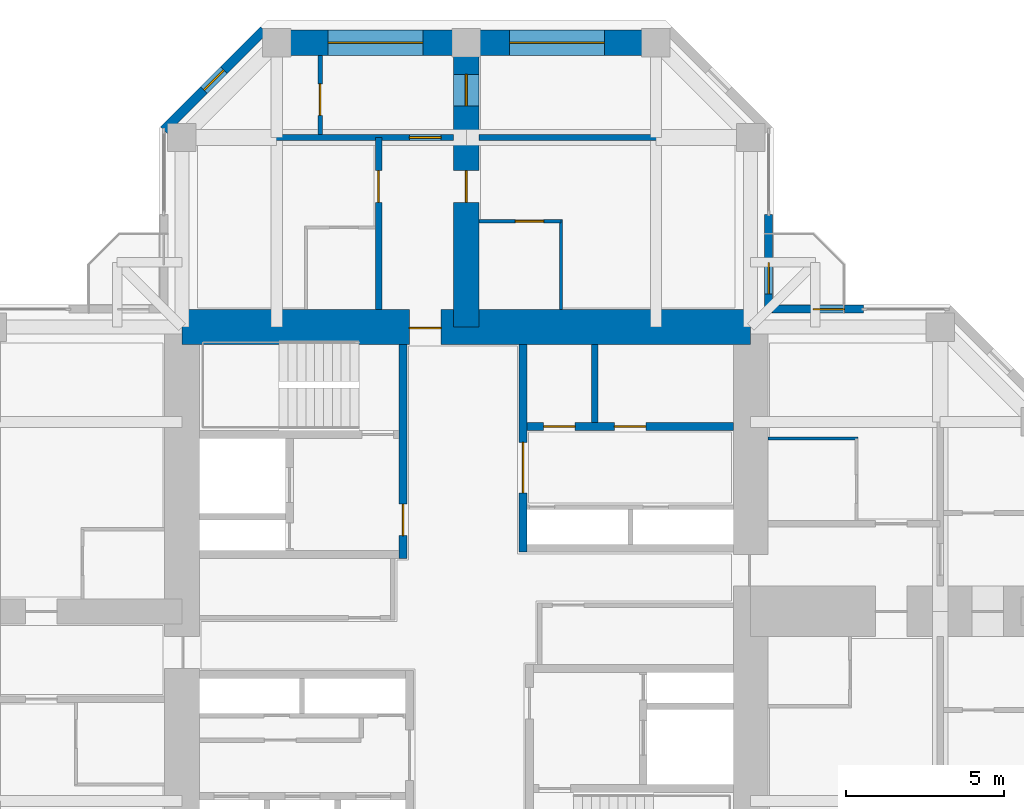
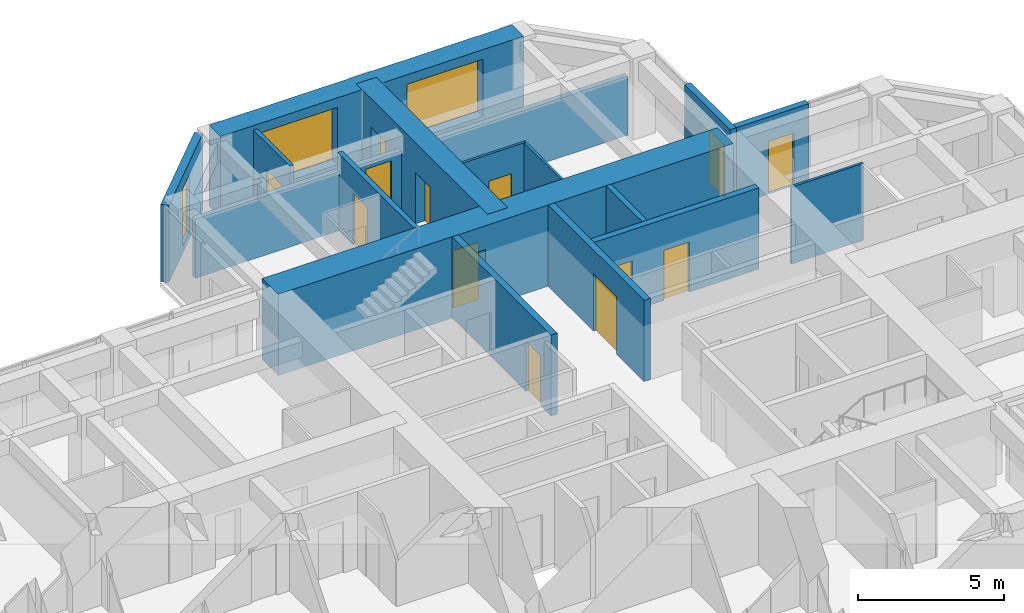
# One storey, part 12 of 14: 17 walls, 13 doors, 3 windows, 16 openings.
"""IFC4 building model written with IfcOpenShell, lengths in metres."""

from ifc_helpers import new_model, si_unit, direction, frame, frame_2d, origin, place, context, subcontext, project, spatial, rectangle, hollow_rectangle, extrude, material, layer, layer_set, constituent, constituent_set, type_object, element, fill, save


model = new_model("IFC4")

# Units and contexts
model_context = context("Model", 3, precision=1e-05, world=origin(), true_north=direction((0.0, 1.0)))
body_context = subcontext(model_context, "Body", "Model", "MODEL_VIEW")
ifc_project = project(units=[si_unit("LENGTHUNIT", "METRE"), si_unit("AREAUNIT", "SQUARE_METRE"), si_unit("VOLUMEUNIT", "CUBIC_METRE"), si_unit("PLANEANGLEUNIT", "RADIAN"), si_unit("MASSUNIT", "GRAM", prefix="KILO")], contexts=[model_context])

# Site, building, storey
site_placement = place(None, origin())
site = spatial("IfcSite", under=ifc_project, at=site_placement, CompositionType="ELEMENT")
building_placement = place(site_placement, origin())
building = spatial("IfcBuilding", under=site, at=building_placement, Name="Torre Cruceta", CompositionType="ELEMENT")
storey_placement = place(building_placement, frame((0.0, 0.0, 176.300048828125)))
storey = spatial("IfcBuildingStorey", under=building, at=storey_placement, Name="L43", CompositionType="ELEMENT", Elevation=176.300048828125)

# Wall
ifc_material_1 = material(Name="Water-resistant plasterboard on steel studs", Category="steel")
ifc_layer_1 = layer(ifc_material_1, 0.10009765625)
ifc_layer_set_1 = layer_set([ifc_layer_1], Name="Water-resistant plasterboard on steel studs")
wall_type_1 = type_object("IfcWallType", Name="BATHROOM WALL 100", PredefinedType="PARTITIONING", material=ifc_layer_set_1)
wall_1_placement = place(storey_placement, frame((3.0, 9.550048828125, 0.0), z_axis=(0.0, 0.0, 1.0), x_axis=(0.0, 1.0, 0.0)))
element("IfcWall", 1, at=wall_1_placement, inside=storey, type_object=wall_type_1, Name="PT4 L43-N-U1RBB", PredefinedType="PARTITIONING", context=body_context, shape_type="SweptSolid", body=[
    extrude(rectangle(XDim=2.849853515625, YDim=0.10009765625, at=frame_2d((1.4248046875, 0.0))), origin(), (0.0, 0.0, 1.0), 3.219970703125),
])

# Wall, opening, door
wall_2_placement = place(storey_placement, frame((3.0, 12.35009765625, 0.0), z_axis=(0.0, 0.0, 1.0), x_axis=(-1.0, 0.0, 0.0)))
wall_2 = element("IfcWall", 2, at=wall_2_placement, inside=storey, type_object=wall_type_1, Name="PT4 L43-N-U1RBS", PredefinedType="PARTITIONING", context=body_context, shape_type="SweptSolid", body=[
    extrude(rectangle(XDim=2.60009765625, YDim=0.10009765625, at=frame_2d((1.300048828125, 0.0))), origin(), (0.0, 0.0, 1.0), 3.219970703125),
])
opening_1_placement = place(wall_2_placement, frame((0.550048828125, 0.0, 0.0)))
opening_1 = element("IfcOpeningElement", 3, at=opening_1_placement, cuts=wall_2, Name="Opening D7", PredefinedType="OPENING", context=body_context, shape_type="SweptSolid", body=[
    extrude(rectangle(XDim=0.89990234375, YDim=2.10009765625, at=frame_2d((0.449951171875, 1.050048828125))), frame((0.0, 0.06005859375, 0.0), z_axis=(0.0, -1.0, 0.0), x_axis=(1.0, 0.0, 0.0)), (0.0, 0.0, 1.0), 0.1201171875),
])
ifc_material_2 = material(Name="Timber door", Category="wood")
door_type_1 = type_object("IfcDoorType", Name="BATHROOM DOOR 900X2100", OperationType="SINGLE_SWING_LEFT", PredefinedType="DOOR", material=ifc_material_2)
door_1_placement = place(opening_1_placement, origin())
door_1 = element("IfcDoor", 4, at=door_1_placement, inside=storey, type_object=door_type_1, Name="D7 L43-N-U1RBS-D1", OperationType="SINGLE_SWING_LEFT", OverallHeight=2.10009765625, OverallWidth=0.89990234375, PredefinedType="DOOR", context=body_context, shape_type="SweptSolid", body=[
    extrude(rectangle(XDim=0.89990234375, YDim=2.10009765625, at=frame_2d((0.449951171875, 1.050048828125))), frame((0.0, 0.02490234375, 0.0), z_axis=(0.0, -1.0, 0.0), x_axis=(1.0, 0.0, 0.0)), (0.0, 0.0, 1.0), 0.050048828125),
])
fill(opening_1, door_1)

# Wall
wall_3_placement = place(storey_placement, frame((9.550048828125, 5.47509765625, 0.0), z_axis=(0.0, 0.0, 1.0), x_axis=(1.0, 0.0, 0.0)))
element("IfcWall", 5, at=wall_3_placement, inside=storey, type_object=wall_type_1, Name="PT4 L43-E-U1LBB", PredefinedType="PARTITIONING", context=body_context, shape_type="SweptSolid", body=[
    extrude(rectangle(XDim=2.849853515625, YDim=0.10009765625, at=frame_2d((1.4248046875, 0.0))), origin(), (0.0, 0.0, 1.0), 3.219970703125),
])

# Wall, opening, door
ifc_material_3 = material(Name="Concrete G60 (fck 60 MPa)", Category="concrete")
ifc_layer_2 = layer(ifc_material_3, 0.25)
ifc_layer_set_2 = layer_set([ifc_layer_2], Name="Concrete G60 (fck 60 MPa)")
wall_type_2 = type_object("IfcWallType", Name="CORE INNER WALL 250 G60", PredefinedType="SHEAR", material=ifc_layer_set_2)
wall_4_placement = place(storey_placement, frame((1.800048828125, 1.875, 0.0), z_axis=(0.0, 0.0, 1.0), x_axis=(0.0, 1.0, 0.0)))
wall_4 = element("IfcWall", 6, at=wall_4_placement, inside=storey, type_object=wall_type_2, Name="CW4 L43 NE-CU", PredefinedType="SHEAR", context=body_context, shape_type="SweptSolid", body=[
    extrude(rectangle(XDim=6.574951171875, YDim=0.25, at=frame_2d((3.28759765625, 0.0))), origin(), (0.0, 0.0, 1.0), 3.39990234375),
])
opening_2_placement = place(wall_4_placement, frame((1.875, 0.0, 0.0)))
opening_2 = element("IfcOpeningElement", 7, at=opening_2_placement, cuts=wall_4, Name="Opening D15", PredefinedType="OPENING", context=body_context, shape_type="SweptSolid", body=[
    extrude(rectangle(XDim=1.60009765625, YDim=2.39990234375, at=frame_2d((0.800048828125, 1.199951171875))), frame((0.0, 0.135009765625, 0.0), z_axis=(0.0, -1.0, 0.0), x_axis=(1.0, 0.0, 0.0)), (0.0, 0.0, 1.0), 0.27001953125),
])
ifc_material_4 = material(Name="Steel DX51D", Category="steel")
ifc_constituent_1 = constituent(ifc_material_4, Name="Leaf and frame")
ifc_material_5 = material(Name="Polyester powder coating", Category="paint")
ifc_constituent_2 = constituent(ifc_material_5, Name="Finish")
ifc_constituent_set_1 = constituent_set(constituents=[ifc_constituent_1, ifc_constituent_2], Name="Steel fire door")
door_type_2 = type_object("IfcDoorType", Name="CORE ROOM DOUBLE DOOR 1600X2400", OperationType="DOUBLE_DOOR_SINGLE_SWING", PredefinedType="DOOR", material=ifc_constituent_set_1)
door_2_placement = place(opening_2_placement, frame((1.60009765625, 0.0, 0.0), z_axis=(0.0, 0.0, 1.0), x_axis=(-1.0, 0.0, 0.0)))
door_2 = element("IfcDoor", 8, at=door_2_placement, inside=storey, type_object=door_type_2, Name="D15 L43 NE-LOBBY", OperationType="DOUBLE_DOOR_SINGLE_SWING", OverallHeight=2.39990234375, OverallWidth=1.60009765625, PredefinedType="DOOR", context=body_context, shape_type="SweptSolid", body=[
    extrude(rectangle(XDim=1.60009765625, YDim=2.39990234375, at=frame_2d((0.800048828125, 1.199951171875))), frame((0.0, 0.025146484375, 0.0), z_axis=(0.0, -1.0, 0.0), x_axis=(1.0, 0.0, 0.0)), (0.0, 0.0, 1.0), 0.050048828125),
])
fill(opening_2, door_2)

# Wall, openings, doors
wall_5_placement = place(storey_placement, frame((1.925048828125, 5.85009765625, 0.0), z_axis=(0.0, 0.0, 1.0), x_axis=(1.0, 0.0, 0.0)))
wall_5 = element("IfcWall", 9, at=wall_5_placement, inside=storey, type_object=wall_type_2, Name="CW4 L43 NE-LV", PredefinedType="SHEAR", context=body_context, shape_type="SweptSolid", body=[
    extrude(rectangle(XDim=6.52490234375, YDim=0.25, at=frame_2d((3.262451171875, 0.0))), origin(), (0.0, 0.0, 1.0), 3.39990234375),
])
opening_3_placement = place(wall_5_placement, frame((0.520751953125, 0.0, 0.0)))
opening_3 = element("IfcOpeningElement", 10, at=opening_3_placement, cuts=wall_5, Name="Opening D3", PredefinedType="OPENING", context=body_context, shape_type="SweptSolid", body=[
    extrude(rectangle(XDim=1.0, YDim=2.10009765625, at=frame_2d((0.5, 1.050048828125))), frame((0.0, 0.135009765625, 0.0), z_axis=(0.0, -1.0, 0.0), x_axis=(1.0, 0.0, 0.0)), (0.0, 0.0, 1.0), 0.27001953125),
])
opening_4_placement = place(wall_5_placement, frame((2.762451171875, 0.0, 0.0)))
opening_4 = element("IfcOpeningElement", 11, at=opening_4_placement, cuts=wall_5, Name="Opening D3", PredefinedType="OPENING", context=body_context, shape_type="SweptSolid", body=[
    extrude(rectangle(XDim=1.0, YDim=2.10009765625, at=frame_2d((0.5, 1.050048828125))), frame((0.0, 0.135009765625, 0.0), z_axis=(0.0, -1.0, 0.0), x_axis=(1.0, 0.0, 0.0)), (0.0, 0.0, 1.0), 0.27001953125),
])
ifc_material_6 = material(Name="Steel DX51D", Category="steel")
ifc_constituent_3 = constituent(ifc_material_6, Name="Leaf and frame")
ifc_material_7 = material(Name="Polyester powder coating", Category="paint")
ifc_constituent_4 = constituent(ifc_material_7, Name="Finish")
ifc_constituent_set_2 = constituent_set(constituents=[ifc_constituent_3, ifc_constituent_4], Name="Steel fire door")
door_type_3 = type_object("IfcDoorType", Name="FIRE DOOR 1000X2100", OperationType="SINGLE_SWING_LEFT", PredefinedType="DOOR", material=ifc_constituent_set_2)
door_3_placement = place(opening_3_placement, origin())
door_3 = element("IfcDoor", 12, at=door_3_placement, inside=storey, type_object=door_type_3, Name="D3 L43 NE-HR1", OperationType="SINGLE_SWING_LEFT", OverallHeight=2.10009765625, OverallWidth=1.0, PredefinedType="DOOR", context=body_context, shape_type="SweptSolid", body=[
    extrude(rectangle(XDim=1.0, YDim=2.10009765625, at=frame_2d((0.5, 1.050048828125))), frame((0.0, 0.02490234375, 0.0), z_axis=(0.0, -1.0, 0.0), x_axis=(1.0, 0.0, 0.0)), (0.0, 0.0, 1.0), 0.050048828125),
])
fill(opening_3, door_3)
door_4_placement = place(opening_4_placement, origin())
door_4 = element("IfcDoor", 13, at=door_4_placement, inside=storey, type_object=door_type_3, Name="D3 L43 NE-HR2", OperationType="SINGLE_SWING_LEFT", OverallHeight=2.10009765625, OverallWidth=1.0, PredefinedType="DOOR", context=body_context, shape_type="SweptSolid", body=[
    extrude(rectangle(XDim=1.0, YDim=2.10009765625, at=frame_2d((0.5, 1.050048828125))), frame((0.0, 0.02490234375, 0.0), z_axis=(0.0, -1.0, 0.0), x_axis=(1.0, 0.0, 0.0)), (0.0, 0.0, 1.0), 0.050048828125),
])
fill(opening_4, door_4)

# Wall, opening, door
wall_6_placement = place(storey_placement, frame((-2.0, 1.675048828125, 0.0), z_axis=(0.0, 0.0, 1.0), x_axis=(0.0, 1.0, 0.0)))
wall_6 = element("IfcWall", 14, at=wall_6_placement, inside=storey, type_object=wall_type_2, Name="CW4 L43 NW-CU", PredefinedType="SHEAR", context=body_context, shape_type="SweptSolid", body=[
    extrude(rectangle(XDim=6.77490234375, YDim=0.25, at=frame_2d((3.387451171875, 0.0))), origin(), (0.0, 0.0, 1.0), 3.39990234375),
])
opening_5_placement = place(wall_6_placement, frame((0.72509765625, 0.0, 0.0)))
opening_5 = element("IfcOpeningElement", 15, at=opening_5_placement, cuts=wall_6, Name="Opening D3", PredefinedType="OPENING", context=body_context, shape_type="SweptSolid", body=[
    extrude(rectangle(XDim=1.0, YDim=2.10009765625, at=frame_2d((0.5, 1.050048828125))), frame((0.0, 0.135009765625, 0.0), z_axis=(0.0, -1.0, 0.0), x_axis=(1.0, 0.0, 0.0)), (0.0, 0.0, 1.0), 0.27001953125),
])
door_5_placement = place(opening_5_placement, origin())
door_5 = element("IfcDoor", 16, at=door_5_placement, inside=storey, type_object=door_type_3, Name="D3 L43 NW-LOBBY", OperationType="SINGLE_SWING_LEFT", OverallHeight=2.10009765625, OverallWidth=1.0, PredefinedType="DOOR", context=body_context, shape_type="SweptSolid", body=[
    extrude(rectangle(XDim=1.0, YDim=2.10009765625, at=frame_2d((0.5, 1.050048828125))), frame((0.0, 0.02490234375, 0.0), z_axis=(0.0, -1.0, 0.0), x_axis=(1.0, 0.0, 0.0)), (0.0, 0.0, 1.0), 0.050048828125),
])
fill(opening_5, door_5)

ifc_material_8 = material(Name="Concrete G60 (fck 60 MPa)", Category="concrete")
ifc_layer_3 = layer(ifc_material_8, 1.10009765625)
ifc_layer_set_3 = layer_set([ifc_layer_3], Name="Concrete G60 (fck 60 MPa)")
wall_type_3 = type_object("IfcWallType", Name="CORE WALL 1100 G60", PredefinedType="SHEAR", material=ifc_layer_set_3)
wall_7_placement = place(storey_placement, frame((9.0, 9.0, 0.0), z_axis=(0.0, 0.0, 1.0), x_axis=(-1.0, 0.0, 0.0)))
wall_7 = element("IfcWall", 17, at=wall_7_placement, inside=storey, type_object=wall_type_3, Name="CW2 L43 CW-N", PredefinedType="SHEAR", context=body_context, shape_type="SweptSolid", body=[
    extrude(rectangle(XDim=18.0, YDim=1.10009765625, at=frame_2d((9.0, 0.0))), origin(), (0.0, 0.0, 1.0), 3.39990234375),
])
opening_6_placement = place(wall_7_placement, frame((9.800048828125, 0.0, 0.0)))
opening_6 = element("IfcOpeningElement", 18, at=opening_6_placement, cuts=wall_7, Name="Opening D4", PredefinedType="OPENING", context=body_context, shape_type="SweptSolid", body=[
    extrude(rectangle(XDim=1.0, YDim=2.39990234375, at=frame_2d((0.5, 1.199951171875))), frame((0.0, 0.56005859375, 0.0), z_axis=(0.0, -1.0, 0.0), x_axis=(1.0, 0.0, 0.0)), (0.0, 0.0, 1.0), 1.1201171875),
])
ifc_material_9 = material(Name="Steel DX51D", Category="steel")
ifc_constituent_5 = constituent(ifc_material_9, Name="Leaf and frame")
ifc_material_10 = material(Name="Polyester powder coating", Category="paint")
ifc_constituent_6 = constituent(ifc_material_10, Name="Finish")
ifc_constituent_set_3 = constituent_set(constituents=[ifc_constituent_5, ifc_constituent_6], Name="Steel fire door")
door_type_4 = type_object("IfcDoorType", Name="CORE ARM DOOR 1000X2400", OperationType="SINGLE_SWING_RIGHT", PredefinedType="DOOR", material=ifc_constituent_set_3)
door_6_placement = place(opening_6_placement, origin())
door_6 = element("IfcDoor", 19, at=door_6_placement, inside=storey, type_object=door_type_4, Name="D4 L43 CW-N", OperationType="SINGLE_SWING_RIGHT", OverallHeight=2.39990234375, OverallWidth=1.0, PredefinedType="DOOR", context=body_context, shape_type="SweptSolid", body=[
    extrude(rectangle(XDim=1.0, YDim=2.39990234375, at=frame_2d((0.5, 1.199951171875))), frame((0.0, 0.05517578125, 0.0), z_axis=(0.0, -1.0, 0.0), x_axis=(1.0, 0.0, 0.0)), (0.0, 0.0, 1.0), 0.050048828125),
])
fill(opening_6, door_6)

ifc_material_11 = material(Name="Concrete G25 (fck 25 MPa)", Category="concrete")
ifc_layer_4 = layer(ifc_material_11, 0.199951171875)
ifc_layer_set_4 = layer_set([ifc_layer_4], Name="Concrete G25 (fck 25 MPa)")
wall_type_4 = type_object("IfcWallType", Name="CORRIDOR WALL 200", PredefinedType="SOLIDWALL", material=ifc_layer_set_4)
wall_8_placement = place(storey_placement, frame((-2.77490234375, 9.550048828125, 0.0), z_axis=(0.0, 0.0, 1.0), x_axis=(0.0, 1.0, 0.0)))
wall_8 = element("IfcWall", 20, at=wall_8_placement, inside=storey, type_object=wall_type_4, Name="PT3 L43-N-CL", PredefinedType="SOLIDWALL", context=body_context, shape_type="SweptSolid", body=[
    extrude(rectangle(XDim=5.449951171875, YDim=0.199951171875, at=frame_2d((2.72509765625, 0.0))), origin(), (0.0, 0.0, 1.0), 3.219970703125),
])
opening_7_placement = place(wall_8_placement, frame((3.39990234375, 0.0, 0.0)))
opening_7 = element("IfcOpeningElement", 21, at=opening_7_placement, cuts=wall_8, Name="Opening D6", PredefinedType="OPENING", context=body_context, shape_type="SweptSolid", body=[
    extrude(rectangle(XDim=1.0, YDim=2.14990234375, at=frame_2d((0.5, 1.074951171875))), frame((0.0, 0.10986328125, 0.0), z_axis=(0.0, -1.0, 0.0), x_axis=(1.0, 0.0, 0.0)), (0.0, 0.0, 1.0), 0.219970703125),
])
ifc_material_12 = material(Name="Timber fire door", Category="wood")
door_type_5 = type_object("IfcDoorType", Name="UNIT ENTRANCE DOOR 1000X2150", OperationType="SINGLE_SWING_LEFT", PredefinedType="DOOR", material=ifc_material_12)
door_7_placement = place(opening_7_placement, origin())
door_7 = element("IfcDoor", 22, at=door_7_placement, inside=storey, type_object=door_type_5, Name="D6 L43-N-CL-D1", OperationType="SINGLE_SWING_LEFT", OverallHeight=2.14990234375, OverallWidth=1.0, PredefinedType="DOOR", context=body_context, shape_type="SweptSolid", body=[
    extrude(rectangle(XDim=1.0, YDim=2.14990234375, at=frame_2d((0.5, 1.074951171875))), frame((0.0, 0.02490234375, 0.0), z_axis=(0.0, -1.0, 0.0), x_axis=(1.0, 0.0, 0.0)), (0.0, 0.0, 1.0), 0.050048828125),
])
fill(opening_7, door_7)

# Wall, opening, window
ifc_material_13 = material(Name="Concrete G30 (fck 30 MPa)", Category="concrete")
ifc_layer_5 = layer(ifc_material_13, 0.300048828125)
ifc_layer_set_5 = layer_set([ifc_layer_5], Name="Concrete G30 (fck 30 MPa)")
wall_type_5 = type_object("IfcWallType", Name="EXPOSED CONCRETE FACADE WALL 300", PredefinedType="SOLIDWALL", material=ifc_layer_set_5)
wall_9_placement = place(storey_placement, frame((-6.406005859375, 18.39990234375, 0.0), z_axis=(0.0, 0.0, 1.0), x_axis=(-0.707134062067, -0.707079499254, 0.0)))
wall_9 = element("IfcWall", 23, at=wall_9_placement, inside=storey, type_object=wall_type_5, Name="EW1 facade wall L43 N chamfer 08", PredefinedType="SOLIDWALL", context=body_context, shape_type="SweptSolid", body=[
    extrude(rectangle(XDim=4.474609375, YDim=0.300048828125, at=frame_2d((2.2373046875, 0.0))), origin(), (0.0, 0.0, 1.0), 3.219970703125),
])
opening_8_placement = place(wall_9_placement, frame((1.787109375, 0.0, 0.300048828125)))
opening_8 = element("IfcOpeningElement", 24, at=opening_8_placement, cuts=wall_9, Name="Opening WN5", PredefinedType="OPENING", context=body_context, shape_type="SweptSolid", body=[
    extrude(rectangle(XDim=0.89990234375, YDim=2.39990234375, at=frame_2d((0.449951171875, 1.199951171875))), frame((0.0, 0.159912109375, 0.0), z_axis=(0.0, -1.0, 0.0), x_axis=(1.0, 0.0, 0.0)), (0.0, 0.0, 1.0), 0.320068359375),
])
ifc_material_14 = material(Name="Aluminium window frame", Category="aluminium")
ifc_constituent_7 = constituent(ifc_material_14, Name="Frame")
ifc_material_15 = material(Name="Laminated insulating glass unit, low-iron clear", Category="glass")
ifc_constituent_8 = constituent(ifc_material_15, Name="Glazing")
ifc_constituent_set_4 = constituent_set(constituents=[ifc_constituent_7, ifc_constituent_8], Name="Aluminium window")
window_type_1 = type_object("IfcWindowType", Name="CHAMFER SLOT WINDOW 900X2400", PartitioningType="SINGLE_PANEL", PredefinedType="WINDOW", material=ifc_constituent_set_4)
window_1_placement = place(opening_8_placement, origin())
window_1 = element("IfcWindow", 25, at=window_1_placement, inside=storey, type_object=window_type_1, Name="WN5 L43 N 1", OverallHeight=2.39990234375, OverallWidth=0.89990234375, PartitioningType="SINGLE_PANEL", PredefinedType="WINDOW", context=body_context, shape_type="SweptSolid", body=[
    extrude(hollow_rectangle(XDim=0.89990234375, YDim=2.39990234375, WallThickness=0.06005859375, at=frame_2d((0.449951171875, 1.199951171875))), frame((0.0, 0.030029296875, 0.0), z_axis=(0.0, -1.0, 0.0), x_axis=(1.0, 0.0, 0.0)), (0.0, 0.0, 1.0), 0.06005859375),
    extrude(rectangle(XDim=0.77880859375, YDim=2.27880859375, at=frame_2d((0.449951171875, 1.199951171875))), frame((0.0, 0.030029296875, 0.0), z_axis=(0.0, -1.0, 0.0), x_axis=(1.0, 0.0, 0.0)), (0.0, 0.0, 1.0), 0.06005859375),
])
fill(opening_8, window_1)

# Wall
ifc_material_16 = material(Name="Concrete G35 (fck 35 MPa)", Category="concrete")
ifc_layer_6 = layer(ifc_material_16, 0.199951171875)
ifc_layer_set_6 = layer_set([ifc_layer_6], Name="Concrete G35 (fck 35 MPa)")
wall_type_6 = type_object("IfcWallType", Name="LIFT SHAFT WALL 200", PredefinedType="PARTITIONING", material=ifc_layer_set_6)
wall_10_placement = place(storey_placement, frame((4.066650390625, 5.97509765625, 0.0), z_axis=(0.0, 0.0, 1.0), x_axis=(0.0, 1.0, 0.0)))
element("IfcWall", 26, at=wall_10_placement, inside=storey, type_object=wall_type_6, Name="SW1 L43 NE-LS1", PredefinedType="PARTITIONING", context=body_context, shape_type="SweptSolid", body=[
    extrude(rectangle(XDim=2.474853515625, YDim=0.199951171875, at=frame_2d((1.2373046875, 0.0))), origin(), (0.0, 0.0, 1.0), 3.39990234375),
])

# Wall, openings, windows
ifc_material_17 = material(Name="Concrete G60 (fck 60 MPa)", Category="concrete")
ifc_layer_7 = layer(ifc_material_17, 0.800048828125)
ifc_layer_set_7 = layer_set([ifc_layer_7], Name="Concrete G60 (fck 60 MPa)")
wall_type_7 = type_object("IfcWallType", Name="NOSE WALL 800 G60", PredefinedType="SHEAR", material=ifc_layer_set_7)
wall_11_placement = place(storey_placement, frame((6.0, 18.0, 0.0), z_axis=(0.0, 0.0, 1.0), x_axis=(-1.0, 0.0, 0.0)))
wall_11 = element("IfcWall", 27, at=wall_11_placement, inside=storey, type_object=wall_type_7, Name="NW2 nose wall L43 N", PredefinedType="SHEAR", context=body_context, shape_type="SweptSolid", body=[
    extrude(rectangle(XDim=12.0, YDim=0.800048828125, at=frame_2d((6.0, 0.0))), origin(), (0.0, 0.0, 1.0), 3.39990234375),
])
opening_9_placement = place(wall_11_placement, frame((1.625, 0.0, 0.60009765625)))
opening_9 = element("IfcOpeningElement", 28, at=opening_9_placement, cuts=wall_11, Name="Opening WN6", PredefinedType="OPENING", context=body_context, shape_type="SweptSolid", body=[
    extrude(rectangle(XDim=3.0, YDim=2.39990234375, at=frame_2d((1.5, 1.199951171875))), frame((0.0, 0.409912109375, 0.0), z_axis=(0.0, -1.0, 0.0), x_axis=(1.0, 0.0, 0.0)), (0.0, 0.0, 1.0), 0.820068359375),
])
opening_10_placement = place(wall_11_placement, frame((7.375, 0.0, 0.60009765625)))
opening_10 = element("IfcOpeningElement", 29, at=opening_10_placement, cuts=wall_11, Name="Opening WN6", PredefinedType="OPENING", context=body_context, shape_type="SweptSolid", body=[
    extrude(rectangle(XDim=3.0, YDim=2.39990234375, at=frame_2d((1.5, 1.199951171875))), frame((0.0, 0.409912109375, 0.0), z_axis=(0.0, -1.0, 0.0), x_axis=(1.0, 0.0, 0.0)), (0.0, 0.0, 1.0), 0.820068359375),
])
ifc_material_18 = material(Name="Aluminium window frame", Category="aluminium")
ifc_constituent_9 = constituent(ifc_material_18, Name="Frame")
ifc_material_19 = material(Name="Laminated insulating glass unit, low-iron clear", Category="glass")
ifc_constituent_10 = constituent(ifc_material_19, Name="Glazing")
ifc_constituent_set_5 = constituent_set(constituents=[ifc_constituent_9, ifc_constituent_10], Name="Aluminium window")
window_type_2 = type_object("IfcWindowType", Name="NOSE WALL WINDOW 3000X2400", PartitioningType="SINGLE_PANEL", PredefinedType="WINDOW", material=ifc_constituent_set_5)
window_2_placement = place(opening_9_placement, origin())
window_2 = element("IfcWindow", 30, at=window_2_placement, inside=storey, type_object=window_type_2, Name="WN6 L43 N 1", OverallHeight=2.39990234375, OverallWidth=3.0, PartitioningType="SINGLE_PANEL", PredefinedType="WINDOW", context=body_context, shape_type="SweptSolid", body=[
    extrude(hollow_rectangle(XDim=3.0, YDim=2.39990234375, WallThickness=0.06005859375, at=frame_2d((1.5, 1.199951171875))), frame((0.0, 0.030029296875, 0.0), z_axis=(0.0, -1.0, 0.0), x_axis=(1.0, 0.0, 0.0)), (0.0, 0.0, 1.0), 0.06005859375),
    extrude(rectangle(XDim=2.87890625, YDim=2.27880859375, at=frame_2d((1.5, 1.199951171875))), frame((0.0, 0.030029296875, 0.0), z_axis=(0.0, -1.0, 0.0), x_axis=(1.0, 0.0, 0.0)), (0.0, 0.0, 1.0), 0.06005859375),
])
fill(opening_9, window_2)
window_3_placement = place(opening_10_placement, origin())
window_3 = element("IfcWindow", 31, at=window_3_placement, inside=storey, type_object=window_type_2, Name="WN6 L43 N 2", OverallHeight=2.39990234375, OverallWidth=3.0, PartitioningType="SINGLE_PANEL", PredefinedType="WINDOW", context=body_context, shape_type="SweptSolid", body=[
    extrude(hollow_rectangle(XDim=3.0, YDim=2.39990234375, WallThickness=0.06005859375, at=frame_2d((1.5, 1.199951171875))), frame((0.0, 0.030029296875, 0.0), z_axis=(0.0, -1.0, 0.0), x_axis=(1.0, 0.0, 0.0)), (0.0, 0.0, 1.0), 0.06005859375),
    extrude(rectangle(XDim=2.87890625, YDim=2.27880859375, at=frame_2d((1.5, 1.199951171875))), frame((0.0, 0.030029296875, 0.0), z_axis=(0.0, -1.0, 0.0), x_axis=(1.0, 0.0, 0.0)), (0.0, 0.0, 1.0), 0.06005859375),
])
fill(opening_10, window_3)

# Wall, opening, door
ifc_material_20 = material(Name="Plasterboard on steel studs", Category="steel")
ifc_layer_8 = layer(ifc_material_20, 0.14990234375)
ifc_layer_set_8 = layer_set([ifc_layer_8], Name="Plasterboard on steel studs")
wall_type_8 = type_object("IfcWallType", Name="PARTITION 150", PredefinedType="PARTITIONING", material=ifc_layer_set_8)
wall_12_placement = place(storey_placement, frame((-4.625, 15.10009765625, 0.0), z_axis=(0.0, 0.0, 1.0), x_axis=(0.0, 1.0, 0.0)))
wall_12 = element("IfcWall", 32, at=wall_12_placement, inside=storey, type_object=wall_type_8, Name="PT1 L43-N-ENDX", PredefinedType="PARTITIONING", context=body_context, shape_type="SweptSolid", body=[
    extrude(rectangle(XDim=2.5, YDim=0.14990234375, at=frame_2d((1.25, 0.0))), origin(), (0.0, 0.0, 1.0), 3.219970703125),
])
opening_11_placement = place(wall_12_placement, frame((0.60009765625, 0.0, 0.0)))
opening_11 = element("IfcOpeningElement", 33, at=opening_11_placement, cuts=wall_12, Name="Opening D3", PredefinedType="OPENING", context=body_context, shape_type="SweptSolid", body=[
    extrude(rectangle(XDim=1.0, YDim=2.10009765625, at=frame_2d((0.5, 1.050048828125))), frame((0.0, 0.0849609375, 0.0), z_axis=(0.0, -1.0, 0.0), x_axis=(1.0, 0.0, 0.0)), (0.0, 0.0, 1.0), 0.169921875),
])
door_8_placement = place(opening_11_placement, origin())
door_8 = element("IfcDoor", 34, at=door_8_placement, inside=storey, type_object=door_type_3, Name="D3 L43-N-ENDX-D1", OperationType="SINGLE_SWING_LEFT", OverallHeight=2.10009765625, OverallWidth=1.0, PredefinedType="DOOR", context=body_context, shape_type="SweptSolid", body=[
    extrude(rectangle(XDim=1.0, YDim=2.10009765625, at=frame_2d((0.5, 1.050048828125))), frame((0.0, 0.02490234375, 0.0), z_axis=(0.0, -1.0, 0.0), x_axis=(1.0, 0.0, 0.0)), (0.0, 0.0, 1.0), 0.050048828125),
])
fill(opening_11, door_8)

# Wall, openings, doors
ifc_material_21 = material(Name="Concrete G60 (fck 60 MPa)", Category="concrete")
ifc_layer_9 = layer(ifc_material_21, 0.800048828125)
ifc_layer_set_9 = layer_set([ifc_layer_9], Name="Concrete G60 (fck 60 MPa)")
wall_type_9 = type_object("IfcWallType", Name="SPINE WALL 800 G60", PredefinedType="SHEAR", material=ifc_layer_set_9)
wall_13_placement = place(storey_placement, frame((0.0, 9.0, 0.0), z_axis=(0.0, 0.0, 1.0), x_axis=(0.0, 1.0, 0.0)))
wall_13 = element("IfcWall", 35, at=wall_13_placement, inside=storey, type_object=wall_type_9, Name="SW4 spine wall L43 N", PredefinedType="SHEAR", context=body_context, shape_type="SweptSolid", body=[
    extrude(rectangle(XDim=9.0, YDim=0.800048828125, at=frame_2d((4.5, 0.0))), origin(), (0.0, 0.0, 1.0), 3.39990234375),
])
opening_12_placement = place(wall_13_placement, frame((3.949951171875, 0.0, 0.0)))
opening_12 = element("IfcOpeningElement", 36, at=opening_12_placement, cuts=wall_13, Name="Opening D6", PredefinedType="OPENING", context=body_context, shape_type="SweptSolid", body=[
    extrude(rectangle(XDim=1.0, YDim=2.14990234375, at=frame_2d((0.5, 1.074951171875))), frame((0.0, 0.409912109375, 0.0), z_axis=(0.0, -1.0, 0.0), x_axis=(1.0, 0.0, 0.0)), (0.0, 0.0, 1.0), 0.820068359375),
])
opening_13_placement = place(wall_13_placement, frame((7.0, 0.0, 0.0)))
opening_13 = element("IfcOpeningElement", 37, at=opening_13_placement, cuts=wall_13, Name="Opening D14", PredefinedType="OPENING", context=body_context, shape_type="SweptSolid", body=[
    extrude(rectangle(XDim=1.0, YDim=2.199951171875, at=frame_2d((0.5, 1.10009765625))), frame((0.0, 0.409912109375, 0.0), z_axis=(0.0, -1.0, 0.0), x_axis=(1.0, 0.0, 0.0)), (0.0, 0.0, 1.0), 0.820068359375),
])
ifc_material_22 = material(Name="Steel DX51D", Category="steel")
ifc_constituent_11 = constituent(ifc_material_22, Name="Leaf and frame")
ifc_material_23 = material(Name="Polyester powder coating", Category="paint")
ifc_constituent_12 = constituent(ifc_material_23, Name="Finish")
ifc_material_24 = material(Name="Fire-resisting glass", Category="glass")
ifc_constituent_13 = constituent(ifc_material_24, Name="Vision panel")
ifc_constituent_set_6 = constituent_set(constituents=[ifc_constituent_11, ifc_constituent_12, ifc_constituent_13], Name="Steel fire door with vision panel")
door_type_6 = type_object("IfcDoorType", Name="FIRE DOOR VISION PANEL 1000X2200", OperationType="SINGLE_SWING_RIGHT", PredefinedType="DOOR", material=ifc_constituent_set_6)
door_9_placement = place(opening_13_placement, origin())
door_9 = element("IfcDoor", 38, at=door_9_placement, inside=storey, type_object=door_type_6, Name="D14 L43-N-SP2", OperationType="SINGLE_SWING_RIGHT", OverallHeight=2.199951171875, OverallWidth=1.0, PredefinedType="DOOR", context=body_context, shape_type="SweptSolid", body=[
    extrude(rectangle(XDim=1.0, YDim=2.199951171875, at=frame_2d((0.5, 1.10009765625))), frame((0.0, 0.02490234375, 0.0), z_axis=(0.0, -1.0, 0.0), x_axis=(1.0, 0.0, 0.0)), (0.0, 0.0, 1.0), 0.050048828125),
])
fill(opening_13, door_9)
door_10_placement = place(opening_12_placement, frame((1.0, 0.0, 0.0), z_axis=(0.0, 0.0, 1.0), x_axis=(-1.0, 0.0, 0.0)))
door_10 = element("IfcDoor", 39, at=door_10_placement, inside=storey, type_object=door_type_5, Name="D6 L43-N-SP1", OperationType="SINGLE_SWING_RIGHT", OverallHeight=2.14990234375, OverallWidth=1.0, PredefinedType="DOOR", context=body_context, shape_type="SweptSolid", body=[
    extrude(rectangle(XDim=1.0, YDim=2.14990234375, at=frame_2d((0.5, 1.074951171875))), frame((0.0, 0.025146484375, 0.0), z_axis=(0.0, -1.0, 0.0), x_axis=(1.0, 0.0, 0.0)), (0.0, 0.0, 1.0), 0.050048828125),
])
fill(opening_12, door_10)

# Wall
ifc_material_25 = material(Name="Concrete G25 (fck 25 MPa)", Category="concrete")
ifc_layer_10 = layer(ifc_material_25, 0.199951171875)
ifc_layer_set_10 = layer_set([ifc_layer_10], Name="Concrete G25 (fck 25 MPa)")
wall_type_10 = type_object("IfcWallType", Name="UNIT SEPARATING WALL 200", PredefinedType="SOLIDWALL", material=ifc_layer_set_10)
wall_14_placement = place(storey_placement, frame((8.550048828125, 15.0, 0.0), z_axis=(0.0, 0.0, 1.0), x_axis=(-1.0, 0.0, 0.0)))
element("IfcWall", 40, at=wall_14_placement, inside=storey, type_object=wall_type_10, Name="PT2 L43-N-ENDa", PredefinedType="SOLIDWALL", context=body_context, shape_type="SweptSolid", body=[
    extrude(rectangle(XDim=8.150146484375, YDim=0.199951171875, at=frame_2d((4.0751953125, 0.0))), origin(), (0.0, 0.0, 1.0), 2.469970703125),
])

# Wall, opening, door
wall_15_placement = place(storey_placement, frame((-0.39990234375, 15.0, 0.0), z_axis=(0.0, 0.0, 1.0), x_axis=(-1.0, 0.0, 0.0)))
wall_15 = element("IfcWall", 41, at=wall_15_placement, inside=storey, type_object=wall_type_10, Name="PT2 L43-N-ENDb", PredefinedType="SOLIDWALL", context=body_context, shape_type="SweptSolid", body=[
    extrude(rectangle(XDim=8.150146484375, YDim=0.199951171875, at=frame_2d((4.0751953125, 0.0))), origin(), (0.0, 0.0, 1.0), 2.469970703125),
])
opening_14_placement = place(wall_15_placement, frame((0.39990234375, 0.0, 0.0)))
opening_14 = element("IfcOpeningElement", 42, at=opening_14_placement, cuts=wall_15, Name="Opening D14", PredefinedType="OPENING", context=body_context, shape_type="SweptSolid", body=[
    extrude(rectangle(XDim=1.0, YDim=2.199951171875, at=frame_2d((0.5, 1.10009765625))), frame((0.0, 0.10986328125, 0.0), z_axis=(0.0, -1.0, 0.0), x_axis=(1.0, 0.0, 0.0)), (0.0, 0.0, 1.0), 0.219970703125),
])
door_11_placement = place(opening_14_placement, frame((1.0, 0.0, 0.0), z_axis=(0.0, 0.0, 1.0), x_axis=(-1.0, 0.0, 0.0)))
door_11 = element("IfcDoor", 43, at=door_11_placement, inside=storey, type_object=door_type_6, Name="D14 L43-N-ENDb-D1", OperationType="SINGLE_SWING_RIGHT", OverallHeight=2.199951171875, OverallWidth=1.0, PredefinedType="DOOR", context=body_context, shape_type="SweptSolid", body=[
    extrude(rectangle(XDim=1.0, YDim=2.199951171875, at=frame_2d((0.5, 1.10009765625))), frame((0.0, 0.025146484375, 0.0), z_axis=(0.0, -1.0, 0.0), x_axis=(1.0, 0.0, 0.0)), (0.0, 0.0, 1.0), 0.050048828125),
])
fill(opening_14, door_11)

ifc_material_26 = material(Name="Concrete G30 (fck 30 MPa)", Category="concrete")
ifc_layer_11 = layer(ifc_material_26, 0.25)
ifc_layer_set_11 = layer_set([ifc_layer_11], Name="Concrete G30 (fck 30 MPa)")
wall_type_11 = type_object("IfcWallType", Name="WINTER GARDEN WALL 250", PredefinedType="SOLIDWALL", material=ifc_layer_set_11)
wall_16_placement = place(storey_placement, frame((12.570068359375, 9.570068359375, 0.0), z_axis=(0.0, 0.0, 1.0), x_axis=(-1.0, 0.0, 0.0)))
wall_16 = element("IfcWall", 44, at=wall_16_placement, inside=storey, type_object=wall_type_11, Name="EW2 winter garden wall L43 04", PredefinedType="SOLIDWALL", context=body_context, shape_type="SweptSolid", body=[
    extrude(rectangle(XDim=2.875, YDim=0.25, at=frame_2d((1.4375, 0.0))), origin(), (0.0, 0.0, 1.0), 3.219970703125),
])
opening_15_placement = place(wall_16_placement, frame((0.60009765625, 0.0, 0.0)))
opening_15 = element("IfcOpeningElement", 45, at=opening_15_placement, cuts=wall_16, Name="Opening D10", PredefinedType="OPENING", context=body_context, shape_type="SweptSolid", body=[
    extrude(rectangle(XDim=1.0, YDim=2.199951171875, at=frame_2d((0.5, 1.10009765625))), frame((0.0, 0.135009765625, 0.0), z_axis=(0.0, -1.0, 0.0), x_axis=(1.0, 0.0, 0.0)), (0.0, 0.0, 1.0), 0.27001953125),
])
ifc_material_27 = material(Name="Aluminium door frame", Category="aluminium")
ifc_constituent_14 = constituent(ifc_material_27, Name="Frame")
ifc_material_28 = material(Name="Laminated safety glass", Category="glass")
ifc_constituent_15 = constituent(ifc_material_28, Name="Glazing")
ifc_constituent_set_7 = constituent_set(constituents=[ifc_constituent_14, ifc_constituent_15], Name="Aluminium glazed door")
door_type_7 = type_object("IfcDoorType", Name="BALCONY DOOR 1000X2200", OperationType="SINGLE_SWING_RIGHT", PredefinedType="DOOR", material=ifc_constituent_set_7)
door_12_placement = place(opening_15_placement, origin())
door_12 = element("IfcDoor", 46, at=door_12_placement, inside=storey, type_object=door_type_7, Name="D10 balcony door L43 04", OperationType="SINGLE_SWING_RIGHT", OverallHeight=2.199951171875, OverallWidth=1.0, PredefinedType="DOOR", context=body_context, shape_type="SweptSolid", body=[
    extrude(hollow_rectangle(XDim=1.0, YDim=2.199951171875, WallThickness=0.06005859375, at=frame_2d((0.5, 1.10009765625))), frame((0.0, 0.02490234375, 0.0), z_axis=(0.0, -1.0, 0.0), x_axis=(1.0, 0.0, 0.0)), (0.0, 0.0, 1.0), 0.050048828125),
    extrude(rectangle(XDim=0.87890625, YDim=2.078857421875, at=frame_2d((0.5, 1.10009765625))), frame((0.0, 0.02490234375, 0.0), z_axis=(0.0, -1.0, 0.0), x_axis=(1.0, 0.0, 0.0)), (0.0, 0.0, 1.0), 0.050048828125),
])
fill(opening_15, door_12)

wall_17_placement = place(storey_placement, frame((9.570068359375, 9.445068359375, 0.0), z_axis=(0.0, 0.0, 1.0), x_axis=(0.0, 1.0, 0.0)))
wall_17 = element("IfcWall", 47, at=wall_17_placement, inside=storey, type_object=wall_type_11, Name="EW2 winter garden wall L43 05", PredefinedType="SOLIDWALL", context=body_context, shape_type="SweptSolid", body=[
    extrude(rectangle(XDim=3.125, YDim=0.25, at=frame_2d((1.5625, 0.0))), origin(), (0.0, 0.0, 1.0), 3.219970703125),
])
opening_16_placement = place(wall_17_placement, frame((0.60009765625, 0.0, 0.0)))
opening_16 = element("IfcOpeningElement", 48, at=opening_16_placement, cuts=wall_17, Name="Opening D10", PredefinedType="OPENING", context=body_context, shape_type="SweptSolid", body=[
    extrude(rectangle(XDim=1.0, YDim=2.199951171875, at=frame_2d((0.5, 1.10009765625))), frame((0.0, 0.135009765625, 0.0), z_axis=(0.0, -1.0, 0.0), x_axis=(1.0, 0.0, 0.0)), (0.0, 0.0, 1.0), 0.27001953125),
])
door_13_placement = place(opening_16_placement, origin())
door_13 = element("IfcDoor", 49, at=door_13_placement, inside=storey, type_object=door_type_7, Name="D10 balcony door L43 05", OperationType="SINGLE_SWING_LEFT", OverallHeight=2.199951171875, OverallWidth=1.0, PredefinedType="DOOR", context=body_context, shape_type="SweptSolid", body=[
    extrude(hollow_rectangle(XDim=1.0, YDim=2.199951171875, WallThickness=0.06005859375, at=frame_2d((0.5, 1.10009765625))), frame((0.0, 0.02490234375, 0.0), z_axis=(0.0, -1.0, 0.0), x_axis=(1.0, 0.0, 0.0)), (0.0, 0.0, 1.0), 0.050048828125),
    extrude(rectangle(XDim=0.87890625, YDim=2.078857421875, at=frame_2d((0.5, 1.10009765625))), frame((0.0, 0.02490234375, 0.0), z_axis=(0.0, -1.0, 0.0), x_axis=(1.0, 0.0, 0.0)), (0.0, 0.0, 1.0), 0.050048828125),
])
fill(opening_16, door_13)

save(model, "model.ifc")
